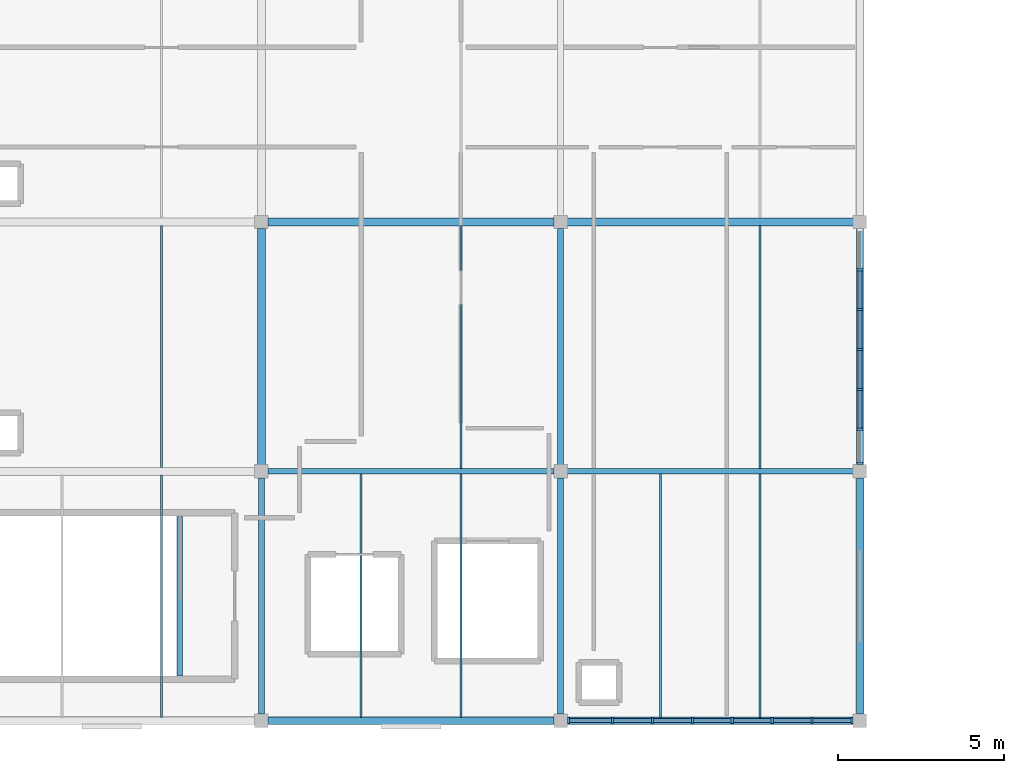
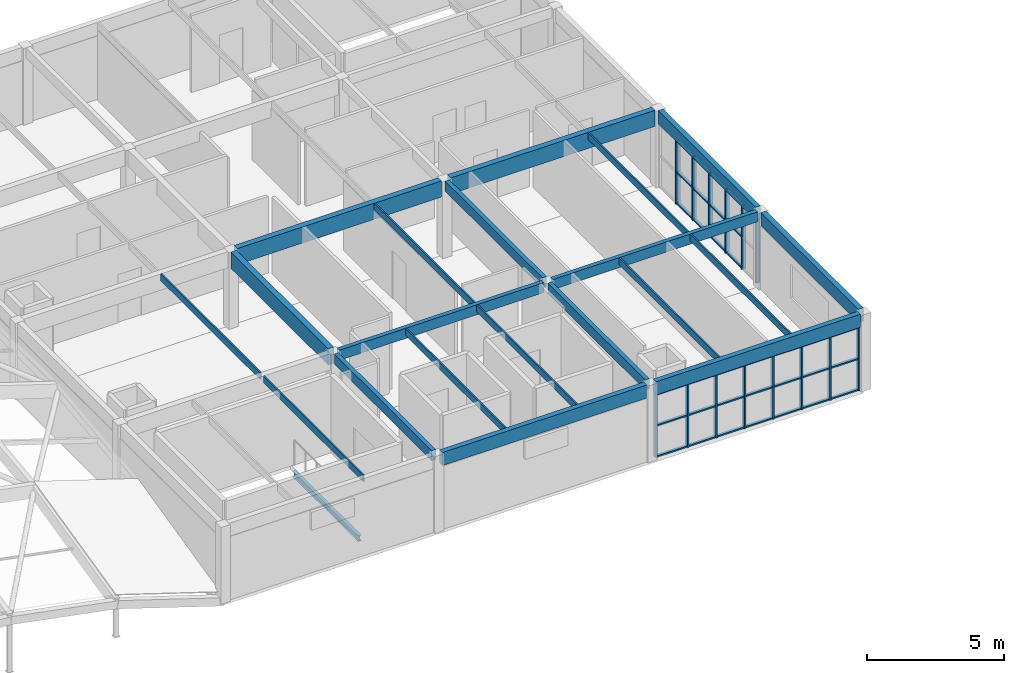
# One storey, part 19 of 81: 47 members, 21 beams, 2 elements without a shape of their own.
"""IFC4 building model written with IfcOpenShell, lengths in metres."""

from ifc_helpers import new_model, si_unit, direction, frame, origin, origin_2d, place, context, subcontext, project, spatial, rectangle, i_section, extrude, material, layer, layer_set, material_profile, profile_set, type_object, element, aggregate, save


model = new_model("IFC4")

# Units and contexts
model_context = context("Model", 3, precision=1e-05, world=origin(), true_north=direction((0.0, 1.0)))
body_context = subcontext(model_context, "Body", "Model", "MODEL_VIEW")
ifc_project = project(units=[si_unit("LENGTHUNIT", "METRE"), si_unit("AREAUNIT", "SQUARE_METRE"), si_unit("VOLUMEUNIT", "CUBIC_METRE"), si_unit("PLANEANGLEUNIT", "RADIAN"), si_unit("MASSUNIT", "GRAM", prefix="KILO")], contexts=[model_context])

# Site, building, storey
site_placement = place(None, origin())
site = spatial("IfcSite", under=ifc_project, at=site_placement, CompositionType="ELEMENT")
building_placement = place(site_placement, origin())
building = spatial("IfcBuilding", under=site, at=building_placement, Name="Marnridge Secondary College", CompositionType="ELEMENT")
storey_placement = place(building_placement, frame((0.0, 0.0, 8.5)))
storey = spatial("IfcBuildingStorey", under=building, at=storey_placement, Name="L02", CompositionType="ELEMENT", Elevation=8.5)

# Beams
ifc_material_1 = material(Name="Glulam timber GL18", Category="wood")
ifc_material_profile_1 = material_profile(ifc_material_1, rectangle(XDim=0.175048828125, YDim=0.449951171875, at=origin_2d()), Name="GL18 175x450")
ifc_profile_set_1 = profile_set([ifc_material_profile_1], Name="Glulam timber GL18")
beam_type_1 = type_object("IfcBeamType", Name="BM-GL450-INT", PredefinedType="BEAM", material=ifc_profile_set_1)
beam_1_placement = place(storey_placement, frame((99.0, 0.194091796875, 3.195068359375), z_axis=(0.0, 1.0, 0.0), x_axis=(-1.0, 0.0, 0.0)))
element("IfcBeam", 1, at=beam_1_placement, inside=storey, type_object=beam_type_1, Name="Beam BRF-L02-1265", PredefinedType="BEAM", context=body_context, shape_type="SweptSolid", body=[
    extrude(rectangle(XDim=0.175048828125, YDim=0.449951171875, at=origin_2d()), origin(), (0.0, 0.0, 1.0), 7.11181640625),
])
beam_2_placement = place(storey_placement, frame((99.194091796875, 7.5, 3.195068359375), z_axis=(1.0, 0.0, 0.0), x_axis=(0.0, 1.0, 0.0)))
element("IfcBeam", 2, at=beam_2_placement, inside=storey, type_object=beam_type_1, Name="Beam BRF-L02-1276", PredefinedType="BEAM", context=body_context, shape_type="SweptSolid", body=[
    extrude(rectangle(XDim=0.175048828125, YDim=0.449951171875, at=origin_2d()), origin(), (0.0, 0.0, 1.0), 8.61181640625),
])
for number, where, z_axis, x_axis, name in (
    (3, (108.0, 0.194091796875, 3.195068359375), (0.0, 1.0, 0.0), (-1.0, 0.0, 0.0), "Beam BRF-L02-1277"),
    (4, (108.0, 7.694091796875, 3.195068359375), (0.0, 1.0, 0.0), (-1.0, 0.0, 0.0), "Beam BRF-L02-1279"),
):
    element("IfcBeam", number, at=place(storey_placement, frame(where, z_axis=z_axis, x_axis=x_axis)), inside=storey, type_object=beam_type_1, Name=name, PredefinedType="BEAM", context=body_context, shape_type="SweptSolid", body=[
        extrude(rectangle(XDim=0.175048828125, YDim=0.449951171875, at=origin_2d()), origin(), (0.0, 0.0, 1.0), 7.11181640625),
    ])
beam_3_placement = place(storey_placement, frame((108.194091796875, 7.5, 3.195068359375), z_axis=(1.0, 0.0, 0.0), x_axis=(0.0, 1.0, 0.0)))
element("IfcBeam", 5, at=beam_3_placement, inside=storey, type_object=beam_type_1, Name="Beam BRF-L02-1285", PredefinedType="BEAM", context=body_context, shape_type="SweptSolid", body=[
    extrude(rectangle(XDim=0.175048828125, YDim=0.449951171875, at=origin_2d()), origin(), (0.0, 0.0, 1.0), 8.61181640625),
])
ifc_material_2 = material(Name="Glulam timber GL18", Category="wood")
ifc_material_profile_2 = material_profile(ifc_material_2, rectangle(XDim=0.215087890625, YDim=0.5849609375, at=origin_2d()), Name="GL18 215x585")
ifc_profile_set_2 = profile_set([ifc_material_profile_2], Name="Glulam timber GL18")
beam_type_2 = type_object("IfcBeamType", Name="BM-GL585-EXT", PredefinedType="SPANDREL", material=ifc_profile_set_2)
for number, where, z_axis, x_axis, name in (
    (6, (99.194091796875, 0.0, 3.12744140625), (1.0, 0.0, 0.0), (0.0, 1.0, 0.0), "Beam BRF-L02-1275"),
    (7, (108.194091796875, 0.0, 3.12744140625), (1.0, 0.0, 0.0), (0.0, 1.0, 0.0), "Beam BRF-L02-1284"),
):
    element("IfcBeam", number, at=place(storey_placement, frame(where, z_axis=z_axis, x_axis=x_axis)), inside=storey, type_object=beam_type_2, Name=name, PredefinedType="SPANDREL", context=body_context, shape_type="SweptSolid", body=[
        extrude(rectangle(XDim=0.215087890625, YDim=0.5849609375, at=origin_2d()), origin(), (0.0, 0.0, 1.0), 8.61181640625),
    ])
for number, where, z_axis, x_axis, name in (
    (8, (117.0, 0.194091796875, 3.12744140625), (0.0, 1.0, 0.0), (-1.0, 0.0, 0.0), "Beam BRF-L02-1286"),
    (9, (117.0, 7.694091796875, 3.12744140625), (0.0, 1.0, 0.0), (-1.0, 0.0, 0.0), "Beam BRF-L02-1288"),
):
    element("IfcBeam", number, at=place(storey_placement, frame(where, z_axis=z_axis, x_axis=x_axis)), inside=storey, type_object=beam_type_2, Name=name, PredefinedType="SPANDREL", context=body_context, shape_type="SweptSolid", body=[
        extrude(rectangle(XDim=0.215087890625, YDim=0.5849609375, at=origin_2d()), origin(), (0.0, 0.0, 1.0), 7.11181640625),
    ])
ifc_material_3 = material(Name="Glulam timber GL18", Category="wood")
ifc_material_profile_3 = material_profile(ifc_material_3, rectangle(XDim=0.239990234375, YDim=0.719970703125, at=origin_2d()), Name="GL18 240x720")
ifc_profile_set_3 = profile_set([ifc_material_profile_3], Name="Glulam timber GL18")
beam_type_3 = type_object("IfcBeamType", Name="BM-GL720-INT", PredefinedType="BEAM", material=ifc_profile_set_3)
beam_4_placement = place(storey_placement, frame((99.0, 7.694091796875, 3.06005859375), z_axis=(0.0, 1.0, 0.0), x_axis=(-1.0, 0.0, 0.0)))
element("IfcBeam", 10, at=beam_4_placement, inside=storey, type_object=beam_type_3, Name="Beam BRF-L02-1268", PredefinedType="BEAM", context=body_context, shape_type="SweptSolid", body=[
    extrude(rectangle(XDim=0.239990234375, YDim=0.719970703125, at=origin_2d()), origin(), (0.0, 0.0, 1.0), 7.11181640625),
])
for number, where, z_axis, x_axis, name in (
    (11, (99.194091796875, 15.0, 3.06005859375), (1.0, 0.0, 0.0), (0.0, 1.0, 0.0), "Beam BRF-L02-1278"),
    (12, (108.194091796875, 15.0, 3.06005859375), (1.0, 0.0, 0.0), (0.0, 1.0, 0.0), "Beam BRF-L02-1287"),
):
    element("IfcBeam", number, at=place(storey_placement, frame(where, z_axis=z_axis, x_axis=x_axis)), inside=storey, type_object=beam_type_3, Name=name, PredefinedType="BEAM", context=body_context, shape_type="SweptSolid", body=[
        extrude(rectangle(XDim=0.239990234375, YDim=0.719970703125, at=origin_2d()), origin(), (0.0, 0.0, 1.0), 8.61181640625),
    ])
ifc_material_4 = material(Name="Engineered timber LVL E13.2", Category="wood")
ifc_material_profile_4 = material_profile(ifc_material_4, rectangle(XDim=0.06298828125, YDim=0.300048828125, at=origin_2d()), Name="LVL 63x300")
ifc_profile_set_4 = profile_set([ifc_material_profile_4], Name="Engineered timber LVL E13.2")
beam_type_4 = type_object("IfcBeamType", Name="BM-LVL300-INT", PredefinedType="JOIST", material=ifc_profile_set_4)
beam_5_placement = place(storey_placement, frame((96.0, 0.1015625, 3.27001953125), z_axis=(0.0, 1.0, 0.0), x_axis=(-1.0, 0.0, 0.0)))
element("IfcBeam", 13, at=beam_5_placement, inside=storey, type_object=beam_type_4, Name="Beam BJ-L02-1294", PredefinedType="JOIST", context=body_context, shape_type="SweptSolid", body=[
    extrude(rectangle(XDim=0.06298828125, YDim=0.300048828125, at=origin_2d()), origin(), (0.0, 0.0, 1.0), 7.284423828125),
])
beam_6_placement = place(storey_placement, frame((96.0, 7.614013671875, 3.27001953125), z_axis=(0.0, 1.0, 0.0), x_axis=(-1.0, 0.0, 0.0)))
element("IfcBeam", 14, at=beam_6_placement, inside=storey, type_object=beam_type_4, Name="Beam BJ-L02-1295", PredefinedType="JOIST", context=body_context, shape_type="SweptSolid", body=[
    extrude(rectangle(XDim=0.06298828125, YDim=0.300048828125, at=origin_2d()), origin(), (0.0, 0.0, 1.0), 7.27197265625),
])
for number, where, z_axis, x_axis, name in (
    (15, (102.0, 0.1015625, 3.27001953125), (0.0, 1.0, 0.0), (-1.0, 0.0, 0.0), "Beam BJ-L02-1299"),
    (16, (105.0, 0.1015625, 3.27001953125), (0.0, 1.0, 0.0), (-1.0, 0.0, 0.0), "Beam BJ-L02-1300"),
):
    element("IfcBeam", number, at=place(storey_placement, frame(where, z_axis=z_axis, x_axis=x_axis)), inside=storey, type_object=beam_type_4, Name=name, PredefinedType="JOIST", context=body_context, shape_type="SweptSolid", body=[
        extrude(rectangle(XDim=0.06298828125, YDim=0.300048828125, at=origin_2d()), origin(), (0.0, 0.0, 1.0), 7.31689453125),
    ])
beam_7_placement = place(storey_placement, frame((105.0, 7.58154296875, 3.27001953125), z_axis=(0.0, 1.0, 0.0), x_axis=(-1.0, 0.0, 0.0)))
element("IfcBeam", 17, at=beam_7_placement, inside=storey, type_object=beam_type_4, Name="Beam BJ-L02-1301", PredefinedType="JOIST", context=body_context, shape_type="SweptSolid", body=[
    extrude(rectangle(XDim=0.06298828125, YDim=0.300048828125, at=origin_2d()), origin(), (0.0, 0.0, 1.0), 7.304443359375),
])
for number, where, z_axis, x_axis, name in (
    (18, (111.0, 0.1015625, 3.27001953125), (0.0, 1.0, 0.0), (-1.0, 0.0, 0.0), "Beam BJ-L02-1305"),
    (19, (114.0, 0.1015625, 3.27001953125), (0.0, 1.0, 0.0), (-1.0, 0.0, 0.0), "Beam BJ-L02-1306"),
):
    element("IfcBeam", number, at=place(storey_placement, frame(where, z_axis=z_axis, x_axis=x_axis)), inside=storey, type_object=beam_type_4, Name=name, PredefinedType="JOIST", context=body_context, shape_type="SweptSolid", body=[
        extrude(rectangle(XDim=0.06298828125, YDim=0.300048828125, at=origin_2d()), origin(), (0.0, 0.0, 1.0), 7.31689453125),
    ])
beam_8_placement = place(storey_placement, frame((114.0, 7.58154296875, 3.27001953125), z_axis=(0.0, 1.0, 0.0), x_axis=(-1.0, 0.0, 0.0)))
element("IfcBeam", 20, at=beam_8_placement, inside=storey, type_object=beam_type_4, Name="Beam BJ-L02-1307", PredefinedType="JOIST", context=body_context, shape_type="SweptSolid", body=[
    extrude(rectangle(XDim=0.06298828125, YDim=0.300048828125, at=origin_2d()), origin(), (0.0, 0.0, 1.0), 7.304443359375),
])
ifc_material_5 = material(Name="Structural steel Grade 350 (AS/NZS 3679.1/.2, fy = 340-360 MPa)", Category="steel")
ifc_material_profile_5 = material_profile(ifc_material_5, i_section(OverallWidth=0.146240234375, OverallDepth=0.256103515625, WebThickness=0.00634765625, FlangeThickness=0.010986328125, FilletRadius=0.0087890625, at=origin_2d()), Name="250UB37.3")
ifc_profile_set_5 = profile_set([ifc_material_profile_5], Name="Structural steel Grade 350 (AS/NZS 3679.1/.2, fy = 340-360 MPa)")
beam_type_5 = type_object("IfcBeamType", Name="BM-UB250-EXT", PredefinedType="LINTEL", material=ifc_profile_set_5)
beam_9_placement = place(storey_placement, frame((96.550048828125, 1.342041015625, -0.358154296875), z_axis=(0.0, 1.0, 0.0), x_axis=(-1.0, 0.0, 0.0)))
element("IfcBeam", 21, at=beam_9_placement, inside=storey, type_object=beam_type_5, Name="Stair landing trimmer beam BT-L02-052", PredefinedType="LINTEL", context=body_context, shape_type="SweptSolid", body=[
    extrude(i_section(OverallWidth=0.146240234375, OverallDepth=0.256103515625, WebThickness=0.00634765625, FlangeThickness=0.010986328125, FilletRadius=0.0087890625, at=origin_2d()), origin(), (0.0, 0.0, 1.0), 4.802978515625),
])

# Curtain wall, members
ifc_material_6 = material(Name="Thermally broken aluminium and low-E glazing", Category="aluminium")
ifc_layer = layer(ifc_material_6, 0.179931640625)
ifc_layer_set = layer_set([ifc_layer], Name="CW-MOD-1200")
curtain_wall_type = type_object("IfcCurtainWallType", Name="CW-MOD-1200", PredefinedType="NOTDEFINED", material=ifc_layer_set)
curtain_wall_1_placement = place(storey_placement, origin())
curtain_wall_1 = element("IfcCurtainWall", 22, at=curtain_wall_1_placement, inside=storey, type_object=curtain_wall_type, Name="Unitised curtain wall CW-L02-085", PredefinedType="NOTDEFINED")
ifc_material_7 = material(Name="Anodised aluminium 6063-T6", Category="aluminium")
ifc_material_profile_6 = material_profile(ifc_material_7, rectangle(XDim=0.06494140625, YDim=0.179931640625, at=origin_2d()), Name="ALU 65x180")
ifc_profile_set_6 = profile_set([ifc_material_profile_6], Name="Anodised aluminium 6063-T6")
member_type_1 = type_object("IfcMemberType", Name="CWM-ALU180", PredefinedType="MULLION", material=ifc_profile_set_6)
member_1_placement = place(storey_placement, frame((117.0, 13.5634765625, 0.0), z_axis=(0.0, 0.0, 1.0), x_axis=(0.0, -1.0, 0.0)))
member_1 = element("IfcMember", 23, at=member_1_placement, type_object=member_type_1, Name="CW-L02-085 mullion 2", PredefinedType="MULLION", context=body_context, shape_type="SweptSolid", body=[
    extrude(rectangle(XDim=0.06494140625, YDim=0.179931640625, at=origin_2d()), origin(), (0.0, 0.0, 1.0), 2.826904296875),
])
member_2_placement = place(storey_placement, frame((117.0, 12.363525390625, 0.0), z_axis=(0.0, 0.0, 1.0), x_axis=(0.0, -1.0, 0.0)))
member_2 = element("IfcMember", 24, at=member_2_placement, type_object=member_type_1, Name="CW-L02-085 mullion 3", PredefinedType="MULLION", context=body_context, shape_type="SweptSolid", body=[
    extrude(rectangle(XDim=0.06494140625, YDim=0.179931640625, at=origin_2d()), origin(), (0.0, 0.0, 1.0), 2.826904296875),
])
member_3_placement = place(storey_placement, frame((117.0, 11.16357421875, 0.0), z_axis=(0.0, 0.0, 1.0), x_axis=(0.0, -1.0, 0.0)))
member_3 = element("IfcMember", 25, at=member_3_placement, type_object=member_type_1, Name="CW-L02-085 mullion 4", PredefinedType="MULLION", context=body_context, shape_type="SweptSolid", body=[
    extrude(rectangle(XDim=0.06494140625, YDim=0.179931640625, at=origin_2d()), origin(), (0.0, 0.0, 1.0), 2.826904296875),
])
member_4_placement = place(storey_placement, frame((117.0, 9.96337890625, 0.0), z_axis=(0.0, 0.0, 1.0), x_axis=(0.0, -1.0, 0.0)))
member_4 = element("IfcMember", 26, at=member_4_placement, type_object=member_type_1, Name="CW-L02-085 mullion 5", PredefinedType="MULLION", context=body_context, shape_type="SweptSolid", body=[
    extrude(rectangle(XDim=0.06494140625, YDim=0.179931640625, at=origin_2d()), origin(), (0.0, 0.0, 1.0), 2.826904296875),
])
member_5_placement = place(storey_placement, frame((117.0, 8.763427734375, 0.0), z_axis=(0.0, 0.0, 1.0), x_axis=(0.0, -1.0, 0.0)))
member_5 = element("IfcMember", 27, at=member_5_placement, type_object=member_type_1, Name="CW-L02-085 mullion 6", PredefinedType="MULLION", context=body_context, shape_type="SweptSolid", body=[
    extrude(rectangle(XDim=0.06494140625, YDim=0.179931640625, at=origin_2d()), origin(), (0.0, 0.0, 1.0), 2.826904296875),
])
member_6_placement = place(storey_placement, frame((117.0, 7.736572265625, 0.0), z_axis=(0.0, 0.0, 1.0), x_axis=(0.0, -1.0, 0.0)))
member_6 = element("IfcMember", 28, at=member_6_placement, type_object=member_type_1, Name="CW-L02-085 mullion 7", PredefinedType="MULLION", context=body_context, shape_type="SweptSolid", body=[
    extrude(rectangle(XDim=0.06494140625, YDim=0.179931640625, at=origin_2d()), origin(), (0.0, 0.0, 1.0), 2.826904296875),
])

curtain_wall_2_placement = place(storey_placement, origin())
curtain_wall_2 = element("IfcCurtainWall", 29, at=curtain_wall_2_placement, inside=storey, type_object=curtain_wall_type, Name="Unitised curtain wall CW-L02-086", PredefinedType="NOTDEFINED")
member_7_placement = place(storey_placement, frame((116.763427734375, 0.0, 0.0), z_axis=(0.0, 0.0, 1.0), x_axis=(-1.0, 0.0, 0.0)))
member_7 = element("IfcMember", 30, at=member_7_placement, type_object=member_type_1, Name="CW-L02-086 mullion 1", PredefinedType="MULLION", context=body_context, shape_type="SweptSolid", body=[
    extrude(rectangle(XDim=0.06494140625, YDim=0.179931640625, at=origin_2d()), origin(), (0.0, 0.0, 1.0), 2.826904296875),
])
member_8_placement = place(storey_placement, frame((115.5634765625, 0.0, 0.0), z_axis=(0.0, 0.0, 1.0), x_axis=(-1.0, 0.0, 0.0)))
member_8 = element("IfcMember", 31, at=member_8_placement, type_object=member_type_1, Name="CW-L02-086 mullion 2", PredefinedType="MULLION", context=body_context, shape_type="SweptSolid", body=[
    extrude(rectangle(XDim=0.06494140625, YDim=0.179931640625, at=origin_2d()), origin(), (0.0, 0.0, 1.0), 2.826904296875),
])
member_9_placement = place(storey_placement, frame((114.363525390625, 0.0, 0.0), z_axis=(0.0, 0.0, 1.0), x_axis=(-1.0, 0.0, 0.0)))
member_9 = element("IfcMember", 32, at=member_9_placement, type_object=member_type_1, Name="CW-L02-086 mullion 3", PredefinedType="MULLION", context=body_context, shape_type="SweptSolid", body=[
    extrude(rectangle(XDim=0.06494140625, YDim=0.179931640625, at=origin_2d()), origin(), (0.0, 0.0, 1.0), 2.826904296875),
])
member_10_placement = place(storey_placement, frame((113.16357421875, 0.0, 0.0), z_axis=(0.0, 0.0, 1.0), x_axis=(-1.0, 0.0, 0.0)))
member_10 = element("IfcMember", 33, at=member_10_placement, type_object=member_type_1, Name="CW-L02-086 mullion 4", PredefinedType="MULLION", context=body_context, shape_type="SweptSolid", body=[
    extrude(rectangle(XDim=0.06494140625, YDim=0.179931640625, at=origin_2d()), origin(), (0.0, 0.0, 1.0), 2.826904296875),
])
member_11_placement = place(storey_placement, frame((111.96337890625, 0.0, 0.0), z_axis=(0.0, 0.0, 1.0), x_axis=(-1.0, 0.0, 0.0)))
member_11 = element("IfcMember", 34, at=member_11_placement, type_object=member_type_1, Name="CW-L02-086 mullion 5", PredefinedType="MULLION", context=body_context, shape_type="SweptSolid", body=[
    extrude(rectangle(XDim=0.06494140625, YDim=0.179931640625, at=origin_2d()), origin(), (0.0, 0.0, 1.0), 2.826904296875),
])
member_12_placement = place(storey_placement, frame((110.763427734375, 0.0, 0.0), z_axis=(0.0, 0.0, 1.0), x_axis=(-1.0, 0.0, 0.0)))
member_12 = element("IfcMember", 35, at=member_12_placement, type_object=member_type_1, Name="CW-L02-086 mullion 6", PredefinedType="MULLION", context=body_context, shape_type="SweptSolid", body=[
    extrude(rectangle(XDim=0.06494140625, YDim=0.179931640625, at=origin_2d()), origin(), (0.0, 0.0, 1.0), 2.826904296875),
])
member_13_placement = place(storey_placement, frame((109.5634765625, 0.0, 0.0), z_axis=(0.0, 0.0, 1.0), x_axis=(-1.0, 0.0, 0.0)))
member_13 = element("IfcMember", 36, at=member_13_placement, type_object=member_type_1, Name="CW-L02-086 mullion 7", PredefinedType="MULLION", context=body_context, shape_type="SweptSolid", body=[
    extrude(rectangle(XDim=0.06494140625, YDim=0.179931640625, at=origin_2d()), origin(), (0.0, 0.0, 1.0), 2.826904296875),
])
member_14_placement = place(storey_placement, frame((108.236572265625, 0.0, 0.0), z_axis=(0.0, 0.0, 1.0), x_axis=(-1.0, 0.0, 0.0)))
member_14 = element("IfcMember", 37, at=member_14_placement, type_object=member_type_1, Name="CW-L02-086 mullion 8", PredefinedType="MULLION", context=body_context, shape_type="SweptSolid", body=[
    extrude(rectangle(XDim=0.06494140625, YDim=0.179931640625, at=origin_2d()), origin(), (0.0, 0.0, 1.0), 2.826904296875),
])

# Member
ifc_material_8 = material(Name="Anodised aluminium 6063-T6", Category="aluminium")
ifc_material_profile_7 = material_profile(ifc_material_8, rectangle(XDim=0.06005859375, YDim=0.1201171875, at=origin_2d()), Name="ALU 60x120")
ifc_profile_set_7 = profile_set([ifc_material_profile_7], Name="Anodised aluminium 6063-T6")
member_type_2 = type_object("IfcMemberType", Name="CWT-ALU120", PredefinedType="USERDEFINED", material=ifc_profile_set_7)
member_15_placement = place(storey_placement, frame((117.0, 13.531005859375, 0.030029296875), z_axis=(0.0, -1.0, 0.0), x_axis=(0.0, 0.0, 1.0)))
member_15 = element("IfcMember", 38, at=member_15_placement, type_object=member_type_2, Name="CW-L02-085 transom 2.1", ObjectType="TRANSOM", PredefinedType="USERDEFINED", context=body_context, shape_type="SweptSolid", body=[
    extrude(rectangle(XDim=0.06005859375, YDim=0.1201171875, at=origin_2d()), origin(), (0.0, 0.0, 1.0), 1.135009765625),
])

member_16_placement = place(storey_placement, frame((117.0, 13.531005859375, 1.4130859375), z_axis=(0.0, -1.0, 0.0), x_axis=(0.0, 0.0, 1.0)))
member_16 = element("IfcMember", 39, at=member_16_placement, type_object=member_type_2, Name="CW-L02-085 transom 2.2", ObjectType="TRANSOM", PredefinedType="USERDEFINED", context=body_context, shape_type="SweptSolid", body=[
    extrude(rectangle(XDim=0.06005859375, YDim=0.1201171875, at=origin_2d()), origin(), (0.0, 0.0, 1.0), 1.135009765625),
])

member_17_placement = place(storey_placement, frame((117.0, 13.531005859375, 2.797119140625), z_axis=(0.0, -1.0, 0.0), x_axis=(0.0, 0.0, 1.0)))
member_17 = element("IfcMember", 40, at=member_17_placement, type_object=member_type_2, Name="CW-L02-085 transom 2.3", ObjectType="TRANSOM", PredefinedType="USERDEFINED", context=body_context, shape_type="SweptSolid", body=[
    extrude(rectangle(XDim=0.06005859375, YDim=0.1201171875, at=origin_2d()), origin(), (0.0, 0.0, 1.0), 1.135009765625),
])

member_18_placement = place(storey_placement, frame((117.0, 12.3310546875, 0.030029296875), z_axis=(0.0, -1.0, 0.0), x_axis=(0.0, 0.0, 1.0)))
member_18 = element("IfcMember", 41, at=member_18_placement, type_object=member_type_2, Name="CW-L02-085 transom 3.1", ObjectType="TRANSOM", PredefinedType="USERDEFINED", context=body_context, shape_type="SweptSolid", body=[
    extrude(rectangle(XDim=0.06005859375, YDim=0.1201171875, at=origin_2d()), origin(), (0.0, 0.0, 1.0), 1.135009765625),
])

member_19_placement = place(storey_placement, frame((117.0, 12.3310546875, 1.4130859375), z_axis=(0.0, -1.0, 0.0), x_axis=(0.0, 0.0, 1.0)))
member_19 = element("IfcMember", 42, at=member_19_placement, type_object=member_type_2, Name="CW-L02-085 transom 3.2", ObjectType="TRANSOM", PredefinedType="USERDEFINED", context=body_context, shape_type="SweptSolid", body=[
    extrude(rectangle(XDim=0.06005859375, YDim=0.1201171875, at=origin_2d()), origin(), (0.0, 0.0, 1.0), 1.135009765625),
])

member_20_placement = place(storey_placement, frame((117.0, 12.3310546875, 2.797119140625), z_axis=(0.0, -1.0, 0.0), x_axis=(0.0, 0.0, 1.0)))
member_20 = element("IfcMember", 43, at=member_20_placement, type_object=member_type_2, Name="CW-L02-085 transom 3.3", ObjectType="TRANSOM", PredefinedType="USERDEFINED", context=body_context, shape_type="SweptSolid", body=[
    extrude(rectangle(XDim=0.06005859375, YDim=0.1201171875, at=origin_2d()), origin(), (0.0, 0.0, 1.0), 1.135009765625),
])

member_21_placement = place(storey_placement, frame((117.0, 11.131103515625, 0.030029296875), z_axis=(0.0, -1.0, 0.0), x_axis=(0.0, 0.0, 1.0)))
member_21 = element("IfcMember", 44, at=member_21_placement, type_object=member_type_2, Name="CW-L02-085 transom 4.1", ObjectType="TRANSOM", PredefinedType="USERDEFINED", context=body_context, shape_type="SweptSolid", body=[
    extrude(rectangle(XDim=0.06005859375, YDim=0.1201171875, at=origin_2d()), origin(), (0.0, 0.0, 1.0), 1.135009765625),
])

member_22_placement = place(storey_placement, frame((117.0, 11.131103515625, 1.4130859375), z_axis=(0.0, -1.0, 0.0), x_axis=(0.0, 0.0, 1.0)))
member_22 = element("IfcMember", 45, at=member_22_placement, type_object=member_type_2, Name="CW-L02-085 transom 4.2", ObjectType="TRANSOM", PredefinedType="USERDEFINED", context=body_context, shape_type="SweptSolid", body=[
    extrude(rectangle(XDim=0.06005859375, YDim=0.1201171875, at=origin_2d()), origin(), (0.0, 0.0, 1.0), 1.135009765625),
])

member_23_placement = place(storey_placement, frame((117.0, 11.131103515625, 2.797119140625), z_axis=(0.0, -1.0, 0.0), x_axis=(0.0, 0.0, 1.0)))
member_23 = element("IfcMember", 46, at=member_23_placement, type_object=member_type_2, Name="CW-L02-085 transom 4.3", ObjectType="TRANSOM", PredefinedType="USERDEFINED", context=body_context, shape_type="SweptSolid", body=[
    extrude(rectangle(XDim=0.06005859375, YDim=0.1201171875, at=origin_2d()), origin(), (0.0, 0.0, 1.0), 1.135009765625),
])

member_24_placement = place(storey_placement, frame((117.0, 9.930908203125, 0.030029296875), z_axis=(0.0, -1.0, 0.0), x_axis=(0.0, 0.0, 1.0)))
member_24 = element("IfcMember", 47, at=member_24_placement, type_object=member_type_2, Name="CW-L02-085 transom 5.1", ObjectType="TRANSOM", PredefinedType="USERDEFINED", context=body_context, shape_type="SweptSolid", body=[
    extrude(rectangle(XDim=0.06005859375, YDim=0.1201171875, at=origin_2d()), origin(), (0.0, 0.0, 1.0), 1.135009765625),
])

member_25_placement = place(storey_placement, frame((117.0, 9.930908203125, 1.4130859375), z_axis=(0.0, -1.0, 0.0), x_axis=(0.0, 0.0, 1.0)))
member_25 = element("IfcMember", 48, at=member_25_placement, type_object=member_type_2, Name="CW-L02-085 transom 5.2", ObjectType="TRANSOM", PredefinedType="USERDEFINED", context=body_context, shape_type="SweptSolid", body=[
    extrude(rectangle(XDim=0.06005859375, YDim=0.1201171875, at=origin_2d()), origin(), (0.0, 0.0, 1.0), 1.135009765625),
])

member_26_placement = place(storey_placement, frame((117.0, 9.930908203125, 2.797119140625), z_axis=(0.0, -1.0, 0.0), x_axis=(0.0, 0.0, 1.0)))
member_26 = element("IfcMember", 49, at=member_26_placement, type_object=member_type_2, Name="CW-L02-085 transom 5.3", ObjectType="TRANSOM", PredefinedType="USERDEFINED", context=body_context, shape_type="SweptSolid", body=[
    extrude(rectangle(XDim=0.06005859375, YDim=0.1201171875, at=origin_2d()), origin(), (0.0, 0.0, 1.0), 1.135009765625),
])

aggregate(curtain_wall_1, [member_1, member_2, member_3, member_4, member_5, member_6, member_15, member_16, member_17, member_18, member_19, member_20, member_21, member_22, member_23, member_24, member_25, member_26])

member_27_placement = place(storey_placement, frame((116.73095703125, 0.0, 0.030029296875), z_axis=(-1.0, 0.0, 0.0), x_axis=(0.0, 0.0, 1.0)))
member_27 = element("IfcMember", 50, at=member_27_placement, type_object=member_type_2, Name="CW-L02-086 transom 1.1", ObjectType="TRANSOM", PredefinedType="USERDEFINED", context=body_context, shape_type="SweptSolid", body=[
    extrude(rectangle(XDim=0.06005859375, YDim=0.1201171875, at=origin_2d()), origin(), (0.0, 0.0, 1.0), 1.135009765625),
])

member_28_placement = place(storey_placement, frame((116.73095703125, 0.0, 1.4130859375), z_axis=(-1.0, 0.0, 0.0), x_axis=(0.0, 0.0, 1.0)))
member_28 = element("IfcMember", 51, at=member_28_placement, type_object=member_type_2, Name="CW-L02-086 transom 1.2", ObjectType="TRANSOM", PredefinedType="USERDEFINED", context=body_context, shape_type="SweptSolid", body=[
    extrude(rectangle(XDim=0.06005859375, YDim=0.1201171875, at=origin_2d()), origin(), (0.0, 0.0, 1.0), 1.135009765625),
])

member_29_placement = place(storey_placement, frame((116.73095703125, 0.0, 2.797119140625), z_axis=(-1.0, 0.0, 0.0), x_axis=(0.0, 0.0, 1.0)))
member_29 = element("IfcMember", 52, at=member_29_placement, type_object=member_type_2, Name="CW-L02-086 transom 1.3", ObjectType="TRANSOM", PredefinedType="USERDEFINED", context=body_context, shape_type="SweptSolid", body=[
    extrude(rectangle(XDim=0.06005859375, YDim=0.1201171875, at=origin_2d()), origin(), (0.0, 0.0, 1.0), 1.135009765625),
])

member_30_placement = place(storey_placement, frame((115.531005859375, 0.0, 0.030029296875), z_axis=(-1.0, 0.0, 0.0), x_axis=(0.0, 0.0, 1.0)))
member_30 = element("IfcMember", 53, at=member_30_placement, type_object=member_type_2, Name="CW-L02-086 transom 2.1", ObjectType="TRANSOM", PredefinedType="USERDEFINED", context=body_context, shape_type="SweptSolid", body=[
    extrude(rectangle(XDim=0.06005859375, YDim=0.1201171875, at=origin_2d()), origin(), (0.0, 0.0, 1.0), 1.135009765625),
])

member_31_placement = place(storey_placement, frame((115.531005859375, 0.0, 1.4130859375), z_axis=(-1.0, 0.0, 0.0), x_axis=(0.0, 0.0, 1.0)))
member_31 = element("IfcMember", 54, at=member_31_placement, type_object=member_type_2, Name="CW-L02-086 transom 2.2", ObjectType="TRANSOM", PredefinedType="USERDEFINED", context=body_context, shape_type="SweptSolid", body=[
    extrude(rectangle(XDim=0.06005859375, YDim=0.1201171875, at=origin_2d()), origin(), (0.0, 0.0, 1.0), 1.135009765625),
])

member_32_placement = place(storey_placement, frame((115.531005859375, 0.0, 2.797119140625), z_axis=(-1.0, 0.0, 0.0), x_axis=(0.0, 0.0, 1.0)))
member_32 = element("IfcMember", 55, at=member_32_placement, type_object=member_type_2, Name="CW-L02-086 transom 2.3", ObjectType="TRANSOM", PredefinedType="USERDEFINED", context=body_context, shape_type="SweptSolid", body=[
    extrude(rectangle(XDim=0.06005859375, YDim=0.1201171875, at=origin_2d()), origin(), (0.0, 0.0, 1.0), 1.135009765625),
])

member_33_placement = place(storey_placement, frame((114.3310546875, 0.0, 0.030029296875), z_axis=(-1.0, 0.0, 0.0), x_axis=(0.0, 0.0, 1.0)))
member_33 = element("IfcMember", 56, at=member_33_placement, type_object=member_type_2, Name="CW-L02-086 transom 3.1", ObjectType="TRANSOM", PredefinedType="USERDEFINED", context=body_context, shape_type="SweptSolid", body=[
    extrude(rectangle(XDim=0.06005859375, YDim=0.1201171875, at=origin_2d()), origin(), (0.0, 0.0, 1.0), 1.135009765625),
])

member_34_placement = place(storey_placement, frame((114.3310546875, 0.0, 1.4130859375), z_axis=(-1.0, 0.0, 0.0), x_axis=(0.0, 0.0, 1.0)))
member_34 = element("IfcMember", 57, at=member_34_placement, type_object=member_type_2, Name="CW-L02-086 transom 3.2", ObjectType="TRANSOM", PredefinedType="USERDEFINED", context=body_context, shape_type="SweptSolid", body=[
    extrude(rectangle(XDim=0.06005859375, YDim=0.1201171875, at=origin_2d()), origin(), (0.0, 0.0, 1.0), 1.135009765625),
])

member_35_placement = place(storey_placement, frame((114.3310546875, 0.0, 2.797119140625), z_axis=(-1.0, 0.0, 0.0), x_axis=(0.0, 0.0, 1.0)))
member_35 = element("IfcMember", 58, at=member_35_placement, type_object=member_type_2, Name="CW-L02-086 transom 3.3", ObjectType="TRANSOM", PredefinedType="USERDEFINED", context=body_context, shape_type="SweptSolid", body=[
    extrude(rectangle(XDim=0.06005859375, YDim=0.1201171875, at=origin_2d()), origin(), (0.0, 0.0, 1.0), 1.135009765625),
])

member_36_placement = place(storey_placement, frame((113.131103515625, 0.0, 0.030029296875), z_axis=(-1.0, 0.0, 0.0), x_axis=(0.0, 0.0, 1.0)))
member_36 = element("IfcMember", 59, at=member_36_placement, type_object=member_type_2, Name="CW-L02-086 transom 4.1", ObjectType="TRANSOM", PredefinedType="USERDEFINED", context=body_context, shape_type="SweptSolid", body=[
    extrude(rectangle(XDim=0.06005859375, YDim=0.1201171875, at=origin_2d()), origin(), (0.0, 0.0, 1.0), 1.135009765625),
])

member_37_placement = place(storey_placement, frame((113.131103515625, 0.0, 1.4130859375), z_axis=(-1.0, 0.0, 0.0), x_axis=(0.0, 0.0, 1.0)))
member_37 = element("IfcMember", 60, at=member_37_placement, type_object=member_type_2, Name="CW-L02-086 transom 4.2", ObjectType="TRANSOM", PredefinedType="USERDEFINED", context=body_context, shape_type="SweptSolid", body=[
    extrude(rectangle(XDim=0.06005859375, YDim=0.1201171875, at=origin_2d()), origin(), (0.0, 0.0, 1.0), 1.135009765625),
])

member_38_placement = place(storey_placement, frame((113.131103515625, 0.0, 2.797119140625), z_axis=(-1.0, 0.0, 0.0), x_axis=(0.0, 0.0, 1.0)))
member_38 = element("IfcMember", 61, at=member_38_placement, type_object=member_type_2, Name="CW-L02-086 transom 4.3", ObjectType="TRANSOM", PredefinedType="USERDEFINED", context=body_context, shape_type="SweptSolid", body=[
    extrude(rectangle(XDim=0.06005859375, YDim=0.1201171875, at=origin_2d()), origin(), (0.0, 0.0, 1.0), 1.135009765625),
])

member_39_placement = place(storey_placement, frame((111.930908203125, 0.0, 0.030029296875), z_axis=(-1.0, 0.0, 0.0), x_axis=(0.0, 0.0, 1.0)))
member_39 = element("IfcMember", 62, at=member_39_placement, type_object=member_type_2, Name="CW-L02-086 transom 5.1", ObjectType="TRANSOM", PredefinedType="USERDEFINED", context=body_context, shape_type="SweptSolid", body=[
    extrude(rectangle(XDim=0.06005859375, YDim=0.1201171875, at=origin_2d()), origin(), (0.0, 0.0, 1.0), 1.135009765625),
])

member_40_placement = place(storey_placement, frame((111.930908203125, 0.0, 1.4130859375), z_axis=(-1.0, 0.0, 0.0), x_axis=(0.0, 0.0, 1.0)))
member_40 = element("IfcMember", 63, at=member_40_placement, type_object=member_type_2, Name="CW-L02-086 transom 5.2", ObjectType="TRANSOM", PredefinedType="USERDEFINED", context=body_context, shape_type="SweptSolid", body=[
    extrude(rectangle(XDim=0.06005859375, YDim=0.1201171875, at=origin_2d()), origin(), (0.0, 0.0, 1.0), 1.135009765625),
])

member_41_placement = place(storey_placement, frame((111.930908203125, 0.0, 2.797119140625), z_axis=(-1.0, 0.0, 0.0), x_axis=(0.0, 0.0, 1.0)))
member_41 = element("IfcMember", 64, at=member_41_placement, type_object=member_type_2, Name="CW-L02-086 transom 5.3", ObjectType="TRANSOM", PredefinedType="USERDEFINED", context=body_context, shape_type="SweptSolid", body=[
    extrude(rectangle(XDim=0.06005859375, YDim=0.1201171875, at=origin_2d()), origin(), (0.0, 0.0, 1.0), 1.135009765625),
])

member_42_placement = place(storey_placement, frame((110.73095703125, 0.0, 0.030029296875), z_axis=(-1.0, 0.0, 0.0), x_axis=(0.0, 0.0, 1.0)))
member_42 = element("IfcMember", 65, at=member_42_placement, type_object=member_type_2, Name="CW-L02-086 transom 6.1", ObjectType="TRANSOM", PredefinedType="USERDEFINED", context=body_context, shape_type="SweptSolid", body=[
    extrude(rectangle(XDim=0.06005859375, YDim=0.1201171875, at=origin_2d()), origin(), (0.0, 0.0, 1.0), 1.135009765625),
])

member_43_placement = place(storey_placement, frame((110.73095703125, 0.0, 1.4130859375), z_axis=(-1.0, 0.0, 0.0), x_axis=(0.0, 0.0, 1.0)))
member_43 = element("IfcMember", 66, at=member_43_placement, type_object=member_type_2, Name="CW-L02-086 transom 6.2", ObjectType="TRANSOM", PredefinedType="USERDEFINED", context=body_context, shape_type="SweptSolid", body=[
    extrude(rectangle(XDim=0.06005859375, YDim=0.1201171875, at=origin_2d()), origin(), (0.0, 0.0, 1.0), 1.135009765625),
])

member_44_placement = place(storey_placement, frame((110.73095703125, 0.0, 2.797119140625), z_axis=(-1.0, 0.0, 0.0), x_axis=(0.0, 0.0, 1.0)))
member_44 = element("IfcMember", 67, at=member_44_placement, type_object=member_type_2, Name="CW-L02-086 transom 6.3", ObjectType="TRANSOM", PredefinedType="USERDEFINED", context=body_context, shape_type="SweptSolid", body=[
    extrude(rectangle(XDim=0.06005859375, YDim=0.1201171875, at=origin_2d()), origin(), (0.0, 0.0, 1.0), 1.135009765625),
])

member_45_placement = place(storey_placement, frame((109.531005859375, 0.0, 0.030029296875), z_axis=(-1.0, 0.0, 0.0), x_axis=(0.0, 0.0, 1.0)))
member_45 = element("IfcMember", 68, at=member_45_placement, type_object=member_type_2, Name="CW-L02-086 transom 7.1", ObjectType="TRANSOM", PredefinedType="USERDEFINED", context=body_context, shape_type="SweptSolid", body=[
    extrude(rectangle(XDim=0.06005859375, YDim=0.1201171875, at=origin_2d()), origin(), (0.0, 0.0, 1.0), 1.261962890625),
])

member_46_placement = place(storey_placement, frame((109.531005859375, 0.0, 1.4130859375), z_axis=(-1.0, 0.0, 0.0), x_axis=(0.0, 0.0, 1.0)))
member_46 = element("IfcMember", 69, at=member_46_placement, type_object=member_type_2, Name="CW-L02-086 transom 7.2", ObjectType="TRANSOM", PredefinedType="USERDEFINED", context=body_context, shape_type="SweptSolid", body=[
    extrude(rectangle(XDim=0.06005859375, YDim=0.1201171875, at=origin_2d()), origin(), (0.0, 0.0, 1.0), 1.261962890625),
])

member_47_placement = place(storey_placement, frame((109.531005859375, 0.0, 2.797119140625), z_axis=(-1.0, 0.0, 0.0), x_axis=(0.0, 0.0, 1.0)))
member_47 = element("IfcMember", 70, at=member_47_placement, type_object=member_type_2, Name="CW-L02-086 transom 7.3", ObjectType="TRANSOM", PredefinedType="USERDEFINED", context=body_context, shape_type="SweptSolid", body=[
    extrude(rectangle(XDim=0.06005859375, YDim=0.1201171875, at=origin_2d()), origin(), (0.0, 0.0, 1.0), 1.261962890625),
])

aggregate(curtain_wall_2, [member_7, member_8, member_9, member_10, member_11, member_12, member_13, member_14, member_27, member_28, member_29, member_30, member_31, member_32, member_33, member_34, member_35, member_36, member_37, member_38, member_39, member_40, member_41, member_42, member_43, member_44, member_45, member_46, member_47])

save(model, "model.ifc")
